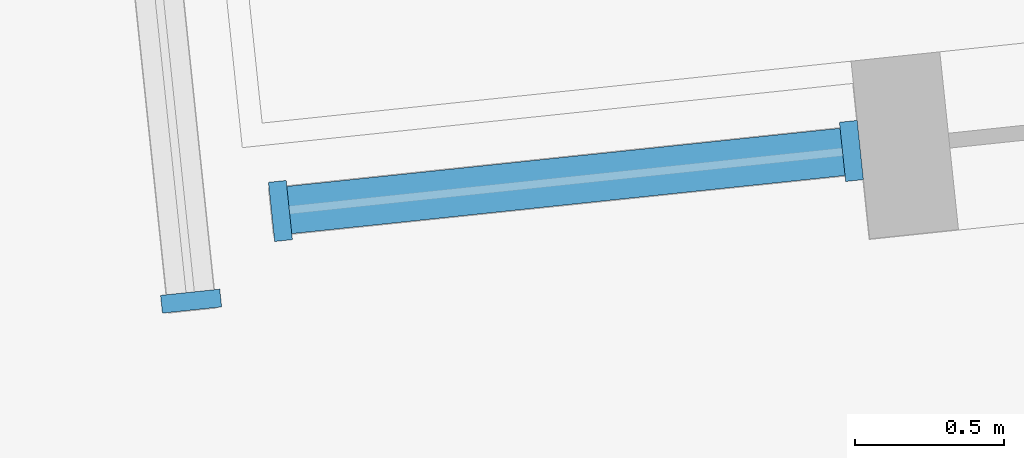
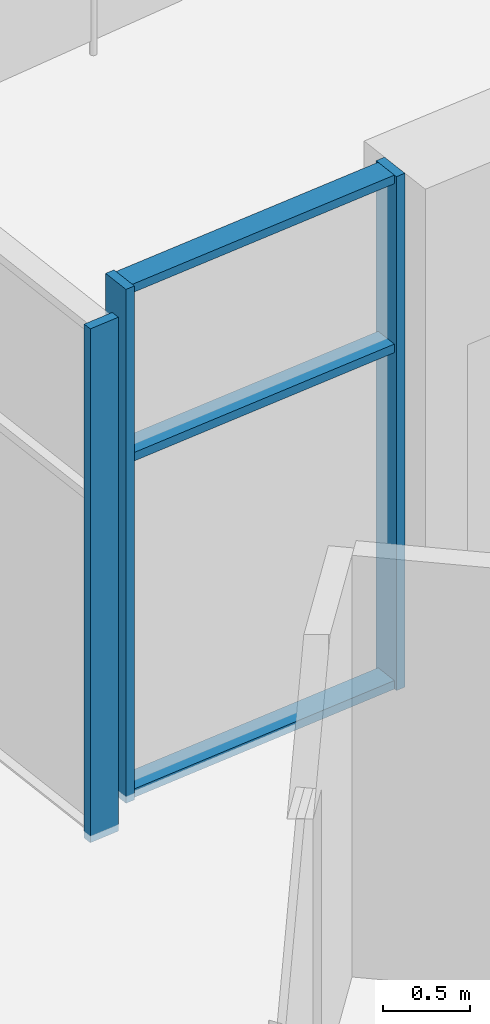
# One storey, part 2 of 14: 6 members, 2 elements without a shape of their own.
"""IFC4 building model written with IfcOpenShell, lengths in metres."""

import ifcopenshell
import ifcopenshell.guid

model = None  # the IFC model being written
_history = None  # IfcOwnerHistory: only IFC2X3 demands one
_inside = {}  # id of a spatial element -> (the spatial element, [elements in it])
_under = {}  # id of a project, library or spatial element -> (it, [spatial elements below it])
_declared = {}  # id of a project -> (the project, [libraries it declares])
_typed = {}  # id of a type object -> (the type object, [elements of that type])
_made_of = {}  # id of a material, layer set ... -> (it, [elements and type objects made of it])


def new_model(schema):
    """Start an empty IFC model of exactly this schema.

    Asked for "IFC4X3", IfcOpenShell would pick the latest addendum, in which some entities
    have other attributes; the version numbers below select the first issue.
    IFC2X3 requires an IfcOwnerHistory on every rooted entity: one is made here for all.
    """
    global model, _history
    if schema == "IFC4X3":
        model = ifcopenshell.file(schema_version=(4, 3, 0, 0))
    else:
        model = ifcopenshell.file(schema=schema)
    _inside.clear()
    _under.clear()
    _declared.clear()
    _typed.clear()
    _made_of.clear()
    _history = None
    if model.schema == "IFC2X3":
        org = make("IfcOrganization", Name="unknown")
        user = make(
            "IfcPersonAndOrganization",
            ThePerson=make("IfcPerson", FamilyName="unknown"),
            TheOrganization=org,
        )
        app = make(
            "IfcApplication",
            ApplicationDeveloper=org,
            Version="unknown",
            ApplicationFullName="unknown",
            ApplicationIdentifier="unknown",
        )
        _history = make(
            "IfcOwnerHistory",
            OwningUser=user,
            OwningApplication=app,
            ChangeAction="ADDED",
            CreationDate=0,
        )
    return model


def make(cls, **values):
    """One entity of the class cls with the attributes given. An attribute that is None is left unset."""
    return model.create_entity(
        cls, **{name: value for name, value in values.items() if value is not None}
    )


def rooted(cls, **values):
    """An entity with a GlobalId (a new one), such as an element, a storey or a relation."""
    return make(cls, GlobalId=ifcopenshell.guid.new(), OwnerHistory=_history, **values)


def si_unit(unit_type, name, prefix=None):
    """IfcSIUnit, for example si_unit("LENGTHUNIT", "METRE", prefix="MILLI")."""
    return make("IfcSIUnit", UnitType=unit_type, Prefix=prefix, Name=name)


def assignment(units):
    """IfcUnitAssignment: the units of a project."""
    return None if units is None else make("IfcUnitAssignment", Units=units)


def point(xyz):
    """IfcCartesianPoint."""
    return None if xyz is None else make("IfcCartesianPoint", Coordinates=xyz)


def direction(xyz):
    """IfcDirection."""
    return None if xyz is None else make("IfcDirection", DirectionRatios=xyz)


def frame(location, z_axis=None, x_axis=None):
    """IfcAxis2Placement3D, a coordinate frame: its origin and axes. An axis left out is left unset."""
    return make(
        "IfcAxis2Placement3D",
        Location=point(location),
        Axis=direction(z_axis),
        RefDirection=direction(x_axis),
    )


def frame_2d(location, x_axis=None):
    """IfcAxis2Placement2D, a coordinate frame in the plane: its origin and x axis."""
    return make(
        "IfcAxis2Placement2D", Location=point(location), RefDirection=direction(x_axis)
    )


def origin():
    """The frame at (0, 0, 0) with its axes left unset."""
    return frame((0.0, 0.0, 0.0))


def origin_2d():
    """The frame at (0, 0) in the plane with its x axis left unset."""
    return frame_2d((0.0, 0.0))


def place(relative_to, where):
    """IfcLocalPlacement: puts the frame where relative to a parent placement (None: the world)."""
    return make(
        "IfcLocalPlacement", PlacementRelTo=relative_to, RelativePlacement=where
    )


def context(
    kind, dimensions, precision=None, world=None, true_north=None, identifier=None
):
    """IfcGeometricRepresentationContext, for example the 3D "Model" context."""
    return make(
        "IfcGeometricRepresentationContext",
        ContextIdentifier=identifier,
        ContextType=kind,
        CoordinateSpaceDimension=dimensions,
        Precision=precision,
        WorldCoordinateSystem=world,
        TrueNorth=true_north,
    )


def subcontext(parent, identifier, kind, view, scale=None):
    """IfcGeometricRepresentationSubContext, for example "Body" below "Model"."""
    return make(
        "IfcGeometricRepresentationSubContext",
        ContextIdentifier=identifier,
        ContextType=kind,
        ParentContext=parent,
        TargetScale=scale,
        TargetView=view,
    )


def project(units=None, contexts=None):
    """IfcProject with its units and contexts."""
    return rooted(
        "IfcProject",
        Name="project",
        RepresentationContexts=contexts,
        UnitsInContext=assignment(units),
    )


def spatial(cls, under=None, at=None, **own):
    """A site, building, storey or space (cls), placed at a placement, below another one or the project."""
    s = rooted(cls, ObjectPlacement=at, **own)
    if under is not None:
        _under.setdefault(under.id(), (under, []))[1].append(s)
    return s


def profile(cls, at=None, kind="AREA", **sizes):
    """A parametric profile (cls). Its sizes go by their IFC names, for example OverallWidth=200.0."""
    return make(cls, ProfileType=kind, Position=at, **sizes)


def rectangle(**sizes):
    """IfcRectangleProfileDef."""
    return profile("IfcRectangleProfileDef", **sizes)


def extrude(swept, where, along, depth):
    """IfcExtrudedAreaSolid: the profile swept, set in the frame where, extruded along a direction by depth."""
    return make(
        "IfcExtrudedAreaSolid",
        SweptArea=swept,
        Position=where,
        ExtrudedDirection=direction(along),
        Depth=depth,
    )


def shape(context_of_items, identifier, shape_type, items):
    """IfcShapeRepresentation: the items that make up one representation, for example the "Body"."""
    return make(
        "IfcShapeRepresentation",
        ContextOfItems=context_of_items,
        RepresentationIdentifier=identifier,
        RepresentationType=shape_type,
        Items=items,
    )


def material(Name=None, Category=None):
    """IfcMaterial."""
    return make("IfcMaterial", Name=Name, Category=Category)


def material_profile(
    of_material, cross_section, Name=None, Category=None, Priority=None
):
    """IfcMaterialProfile: a cross section and its material."""
    return make(
        "IfcMaterialProfile",
        Name=Name,
        Material=of_material,
        Profile=cross_section,
        Priority=Priority,
        Category=Category,
    )


def profile_set(profiles, Name=None, composite=None):
    """IfcMaterialProfileSet."""
    return make(
        "IfcMaterialProfileSet",
        Name=Name,
        MaterialProfiles=profiles,
        CompositeProfile=composite,
    )


def made_of(thing, what):
    """Note that an element or type object is made of a material, layer set ...; save() writes the relation."""
    if what is not None:
        _made_of.setdefault(what.id(), (what, []))[1].append(thing)
    return thing


def type_object(cls, material=None, **own):
    """A type object (cls), such as IfcWallType, which elements share."""
    return made_of(rooted(cls, **own), material)


def element(
    cls,
    number,
    at=None,
    inside=None,
    cuts=None,
    type_object=None,
    material=None,
    context=None,
    identifier="Body",
    shape_type=None,
    held_by="IfcProductDefinitionShape",
    body=None,
    shapes=None,
    **own,
):
    """One element of the class cls, such as IfcWall. Its Tag is "e" and its number.

    at: its placement. inside: the storey or other place that contains it. cuts: it is an
    opening in that element (IfcRelVoidsElement). A single representation is given by context,
    identifier, shape_type and body (its items); several are given by shapes. held_by: the class
    of the entity that holds the representations. save() writes the other relations.
    """
    e = rooted(cls, Tag="e%d" % number, ObjectPlacement=at, **own)
    if body is not None:
        shapes = [shape(context, identifier, shape_type, body)]
    if shapes is not None:
        e.Representation = make(held_by, Representations=shapes)
    if inside is not None:
        _inside.setdefault(inside.id(), (inside, []))[1].append(e)
    if cuts is not None:
        rooted(
            "IfcRelVoidsElement", RelatingBuildingElement=cuts, RelatedOpeningElement=e
        )
    if type_object is not None:
        _typed.setdefault(type_object.id(), (type_object, []))[1].append(e)
    return made_of(e, material)


def aggregate(whole, parts):
    """IfcRelAggregates: a whole, such as a stair, and the parts it consists of."""
    return rooted("IfcRelAggregates", RelatingObject=whole, RelatedObjects=parts)


def save(model, path):
    """Write the relations noted so far, then the file.

    IfcRelAggregates (storeys below a building ...), IfcRelContainedInSpatialStructure (elements
    in a storey), IfcRelDefinesByType, IfcRelAssociatesMaterial and IfcRelDeclares: one each for
    every whole, place, type object, material and project.
    """
    for whole, parts in _under.values():
        aggregate(whole, parts)
    for where, things in _inside.values():
        rooted(
            "IfcRelContainedInSpatialStructure",
            RelatedElements=things,
            RelatingStructure=where,
        )
    for kind, things in _typed.values():
        rooted("IfcRelDefinesByType", RelatedObjects=things, RelatingType=kind)
    for what, things in _made_of.values():
        rooted("IfcRelAssociatesMaterial", RelatedObjects=things, RelatingMaterial=what)
    for by, libraries in _declared.values():
        rooted("IfcRelDeclares", RelatingContext=by, RelatedDefinitions=libraries)
    model.write(path)


model = new_model("IFC4")

# Units and contexts
model_context = context("Model", 3, precision=1e-05, world=origin(), true_north=direction((0.0, 1.0)))
body_context = subcontext(model_context, "Body", "Model", "MODEL_VIEW")
ifc_project = project(units=[si_unit("LENGTHUNIT", "METRE"), si_unit("AREAUNIT", "SQUARE_METRE"), si_unit("VOLUMEUNIT", "CUBIC_METRE"), si_unit("PLANEANGLEUNIT", "RADIAN"), si_unit("MASSUNIT", "GRAM", prefix="KILO")], contexts=[model_context])

# Site, building, storey
site_placement = place(None, origin())
site = spatial("IfcSite", under=ifc_project, at=site_placement, CompositionType="ELEMENT")
building_placement = place(site_placement, origin())
building = spatial("IfcBuilding", under=site, at=building_placement, Name="Dilmun Exchange Tower", CompositionType="ELEMENT")
storey_placement = place(building_placement, frame((0.0, 0.0, 229.300048828125)))
storey = spatial("IfcBuildingStorey", under=building, at=storey_placement, Name="L54", CompositionType="ELEMENT", Elevation=229.300048828125)

# Curtain wall, members
ifc_material_1 = material(Name="Anodised aluminium and clear glass", Category="aluminium")
curtain_wall_type = type_object("IfcCurtainWallType", Name="Garden corner glazing", PredefinedType="NOTDEFINED", material=ifc_material_1)
curtain_wall_1_placement = place(storey_placement, origin())
curtain_wall_1 = element("IfcCurtainWall", 1, at=curtain_wall_1_placement, inside=storey, type_object=curtain_wall_type, Name="Garden corner glazing run GC2.3", PredefinedType="NOTDEFINED")
ifc_material_2 = material(Name="Anodised aluminium", Category="aluminium")
ifc_material_profile_1 = material_profile(ifc_material_2, rectangle(XDim=0.199951171875, YDim=0.06005859375, at=origin_2d()), Name="AL 60x200")
ifc_profile_set_1 = profile_set([ifc_material_profile_1], Name="Anodised aluminium")
member_type_1 = type_object("IfcMemberType", Name="Garden corner glazing mullion 60 x 200", PredefinedType="MULLION", material=ifc_profile_set_1)
member_1_placement = place(storey_placement, frame((-1.4404296875, 29.06396484375, 0.0), z_axis=(0.0, 0.0, 1.0), x_axis=(0.104519911481, -0.99452279416, 0.0)))
member_1 = element("IfcMember", 2, at=member_1_placement, type_object=member_type_1, Name="GC2.3 mullion 1", PredefinedType="MULLION", context=body_context, shape_type="SweptSolid", body=[
    extrude(rectangle(XDim=0.199951171875, YDim=0.06005859375, at=origin_2d()), origin(), (0.0, 0.0, 1.0), 3.619873046875),
])
member_2_placement = place(storey_placement, frame((-3.35888671875, 28.8623046875, 0.0), z_axis=(0.0, 0.0, 1.0), x_axis=(0.104519911481, -0.99452279416, 0.0)))
member_2 = element("IfcMember", 3, at=member_2_placement, type_object=member_type_1, Name="GC2.3 mullion 2", PredefinedType="MULLION", context=body_context, shape_type="SweptSolid", body=[
    extrude(rectangle(XDim=0.199951171875, YDim=0.06005859375, at=origin_2d()), origin(), (0.0, 0.0, 1.0), 3.619873046875),
])

# Curtain wall, member
curtain_wall_2_placement = place(storey_placement, origin())
curtain_wall_2 = element("IfcCurtainWall", 4, at=curtain_wall_2_placement, inside=storey, type_object=curtain_wall_type, Name="Garden corner glazing run GC3.1", PredefinedType="NOTDEFINED")
member_3_placement = place(storey_placement, frame((-3.658935546875, 28.559326171875, 0.0), z_axis=(0.0, 0.0, 1.0), x_axis=(-0.994520705874, -0.104539779931, 0.0)))
member_3 = element("IfcMember", 5, at=member_3_placement, type_object=member_type_1, Name="GC3.1 mullion 1", PredefinedType="MULLION", context=body_context, shape_type="SweptSolid", body=[
    extrude(rectangle(XDim=0.199951171875, YDim=0.06005859375, at=origin_2d()), origin(), (0.0, 0.0, 1.0), 3.619873046875),
])
aggregate(curtain_wall_2, [member_3])

# Member
ifc_material_profile_2 = material_profile(ifc_material_2, rectangle(XDim=0.159912109375, YDim=0.06005859375, at=origin_2d()), Name="AL 60x160")
ifc_profile_set_2 = profile_set([ifc_material_profile_2], Name="Anodised aluminium")
member_type_2 = type_object("IfcMemberType", Name="Garden corner glazing transom 60 x 160", PredefinedType="USERDEFINED", material=ifc_profile_set_2)
member_4_placement = place(storey_placement, frame((-1.47021484375, 29.060791015625, 0.030029296875), z_axis=(-0.994525474721, -0.104494402387, 0.0), x_axis=(0.104494402387, -0.994525474721, 0.0)))
member_4 = element("IfcMember", 6, at=member_4_placement, type_object=member_type_2, Name="GC2.3 transom 1.1", ObjectType="TRANSOM", PredefinedType="USERDEFINED", context=body_context, shape_type="SweptSolid", body=[
    extrude(rectangle(XDim=0.159912109375, YDim=0.06005859375, at=origin_2d()), origin(), (0.0, 0.0, 1.0), 1.869140625),
])

member_5_placement = place(storey_placement, frame((-1.47021484375, 29.060791015625, 2.39990234375), z_axis=(-0.994525474721, -0.104494402387, 0.0), x_axis=(0.104494402387, -0.994525474721, 0.0)))
member_5 = element("IfcMember", 7, at=member_5_placement, type_object=member_type_2, Name="GC2.3 transom 1.2", ObjectType="TRANSOM", PredefinedType="USERDEFINED", context=body_context, shape_type="SweptSolid", body=[
    extrude(rectangle(XDim=0.159912109375, YDim=0.06005859375, at=origin_2d()), origin(), (0.0, 0.0, 1.0), 1.869140625),
])

member_6_placement = place(storey_placement, frame((-1.47021484375, 29.060791015625, 3.58984375), z_axis=(-0.994525474721, -0.104494402387, 0.0), x_axis=(0.104494402387, -0.994525474721, 0.0)))
member_6 = element("IfcMember", 8, at=member_6_placement, type_object=member_type_2, Name="GC2.3 transom 1.3", ObjectType="TRANSOM", PredefinedType="USERDEFINED", context=body_context, shape_type="SweptSolid", body=[
    extrude(rectangle(XDim=0.159912109375, YDim=0.06005859375, at=origin_2d()), origin(), (0.0, 0.0, 1.0), 1.869140625),
])

aggregate(curtain_wall_1, [member_1, member_2, member_4, member_5, member_6])

save(model, "model.ifc")
